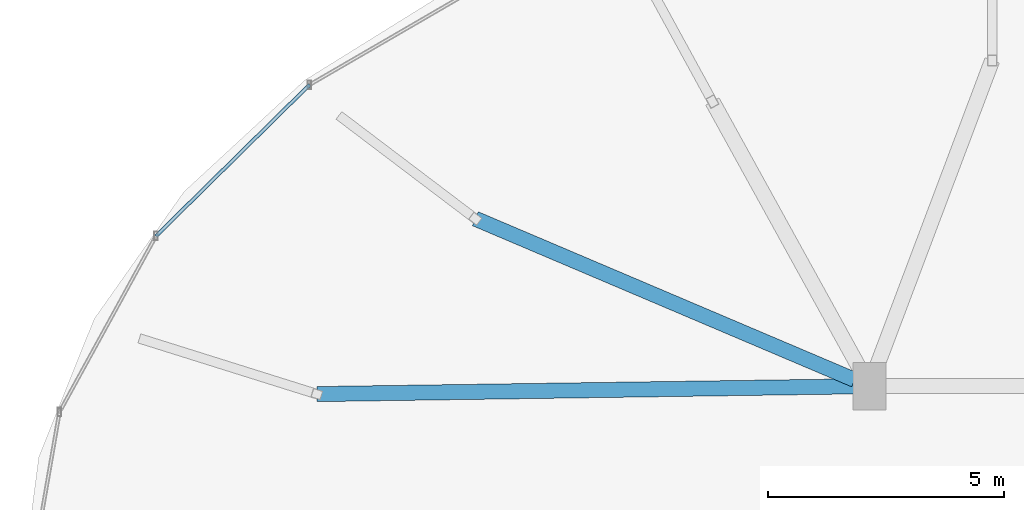
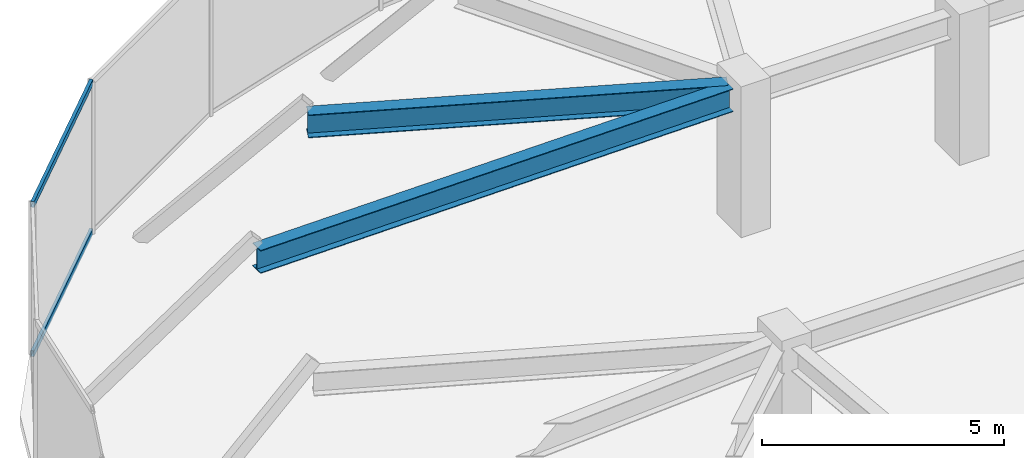
# One storey, part 8 of 14: 2 beams, 2 members, 1 element without a shape of its own.
"""IFC4 building model written with IfcOpenShell, lengths in metres."""

from ifc_helpers import new_model, si_unit, direction, frame, origin, origin_2d, place, context, subcontext, project, spatial, hollow_rectangle, i_section, extrude, material, material_profile, profile_set, type_object, element, aggregate, save


model = new_model("IFC4")

# Units and contexts
model_context = context("Model", 3, precision=1e-05, world=origin(), true_north=direction((0.0, 1.0)))
body_context = subcontext(model_context, "Body", "Model", "MODEL_VIEW")
ifc_project = project(units=[si_unit("LENGTHUNIT", "METRE"), si_unit("AREAUNIT", "SQUARE_METRE"), si_unit("VOLUMEUNIT", "CUBIC_METRE"), si_unit("PLANEANGLEUNIT", "RADIAN"), si_unit("MASSUNIT", "GRAM", prefix="KILO")], contexts=[model_context])

# Site, building, storey
site_placement = place(None, origin())
site = spatial("IfcSite", under=ifc_project, at=site_placement, CompositionType="ELEMENT")
building_placement = place(site_placement, origin())
building = spatial("IfcBuilding", under=site, at=building_placement, Name="Vorneva Point Tower", CompositionType="ELEMENT")
storey_placement = place(building_placement, frame((0.0, 0.0, 299.199951171875)))
storey = spatial("IfcBuildingStorey", under=building, at=storey_placement, Name="C02", CompositionType="ELEMENT", Elevation=299.199951171875)

# Beams
ifc_material_1 = material(Name="Steel S355", Category="steel")
ifc_material_profile_1 = material_profile(ifc_material_1, i_section(OverallWidth=0.320068359375, OverallDepth=0.580078125, WebThickness=0.011962890625, FlangeThickness=0.01708984375, at=origin_2d()), Name="60Sh1")
ifc_profile_set_1 = profile_set([ifc_material_profile_1], Name="Steel S355")
beam_type = type_object("IfcBeamType", Name="BM-GRD-60Sh1", PredefinedType="USERDEFINED", material=ifc_profile_set_1)
beam_1_placement = place(storey_placement, frame((27.052490234375, 34.096435546875, 3.260009765625), z_axis=(0.920378731546, -0.391028119856, 0.0), x_axis=(0.391028119856, 0.920378731546, 0.0)))
element("IfcBeam", 1, at=beam_1_placement, inside=storey, type_object=beam_type, Name="C02 Radial Primary Girder 07", ObjectType="GIRDER", PredefinedType="USERDEFINED", context=body_context, shape_type="SweptSolid", body=[
    extrude(i_section(OverallWidth=0.320068359375, OverallDepth=0.580078125, WebThickness=0.011962890625, FlangeThickness=0.01708984375, at=origin_2d()), origin(), (0.0, 0.0, 1.0), 8.729736328125),
])
beam_2_placement = place(storey_placement, frame((23.696533203125, 30.381591796875, 3.260009765625), z_axis=(0.999896412809, 0.014393180719, 0.0), x_axis=(-0.014393180719, 0.999896412809, 0.0)))
element("IfcBeam", 2, at=beam_2_placement, inside=storey, type_object=beam_type, Name="C02 Radial Primary Girder 08", ObjectType="GIRDER", PredefinedType="USERDEFINED", context=body_context, shape_type="SweptSolid", body=[
    extrude(i_section(OverallWidth=0.320068359375, OverallDepth=0.580078125, WebThickness=0.011962890625, FlangeThickness=0.01708984375, at=origin_2d()), origin(), (0.0, 0.0, 1.0), 11.36474609375),
])

# Curtain wall, members
ifc_material_2 = material(Name="Pale anodised aluminium", Category="aluminium")
curtain_wall_type = type_object("IfcCurtainWallType", Name="CW-CRN-SYS", PredefinedType="NOTDEFINED", material=ifc_material_2)
curtain_wall_placement = place(storey_placement, origin())
curtain_wall = element("IfcCurtainWall", 3, at=curtain_wall_placement, inside=storey, type_object=curtain_wall_type, Name="C02 Unitised Curtain Wall CW-C02-Q2", PredefinedType="NOTDEFINED")
ifc_material_profile_2 = material_profile(ifc_material_2, hollow_rectangle(XDim=0.074951171875, YDim=0.14990234375, WallThickness=0.00390625, at=origin_2d()), Name="AL-TRN 150x75x4")
ifc_profile_set_2 = profile_set([ifc_material_profile_2], Name="Pale anodised aluminium")
member_type = type_object("IfcMemberType", Name="CW-TRN-150", PredefinedType="USERDEFINED", material=ifc_profile_set_2)
member_1_placement = place(storey_placement, frame((23.538330078125, 36.931884765625, 0.02001953125), z_axis=(-0.712384470192, -0.701789403332, 0.0), x_axis=(0.701789403332, -0.712384470192, 0.0)))
member_1 = element("IfcMember", 4, at=member_1_placement, type_object=member_type, Name="CW-C02-Q2 Transom 04.1", ObjectType="TRANSOM", PredefinedType="USERDEFINED", context=body_context, shape_type="SweptSolid", body=[
    extrude(hollow_rectangle(XDim=0.074951171875, YDim=0.14990234375, WallThickness=0.00390625, at=origin_2d()), origin(), (0.0, 0.0, 1.0), 4.5625),
])
member_2_placement = place(storey_placement, frame((23.538330078125, 36.931884765625, 3.780029296875), z_axis=(-0.712384470192, -0.701789403332, 0.0), x_axis=(0.701789403332, -0.712384470192, 0.0)))
member_2 = element("IfcMember", 5, at=member_2_placement, type_object=member_type, Name="CW-C02-Q2 Transom 04.2", ObjectType="TRANSOM", PredefinedType="USERDEFINED", context=body_context, shape_type="SweptSolid", body=[
    extrude(hollow_rectangle(XDim=0.074951171875, YDim=0.14990234375, WallThickness=0.00390625, at=origin_2d()), origin(), (0.0, 0.0, 1.0), 4.5625),
])
aggregate(curtain_wall, [member_1, member_2])

save(model, "model.ifc")
